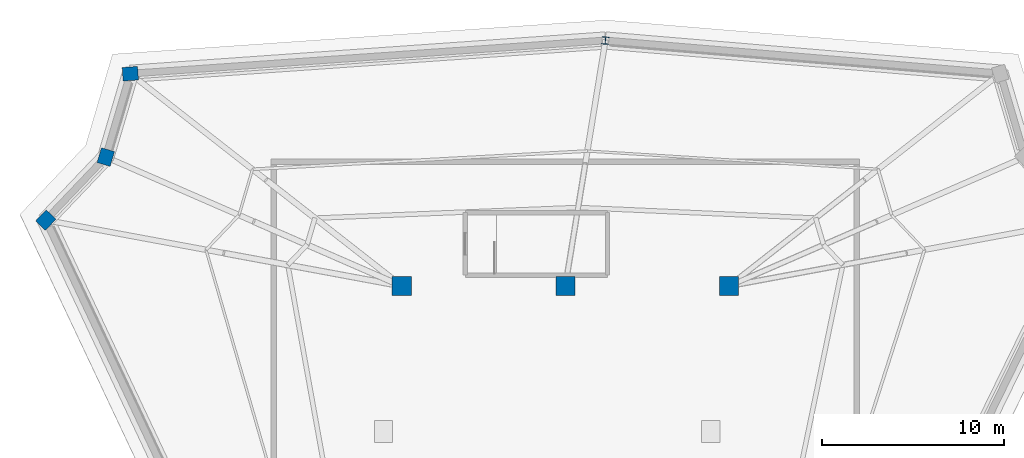
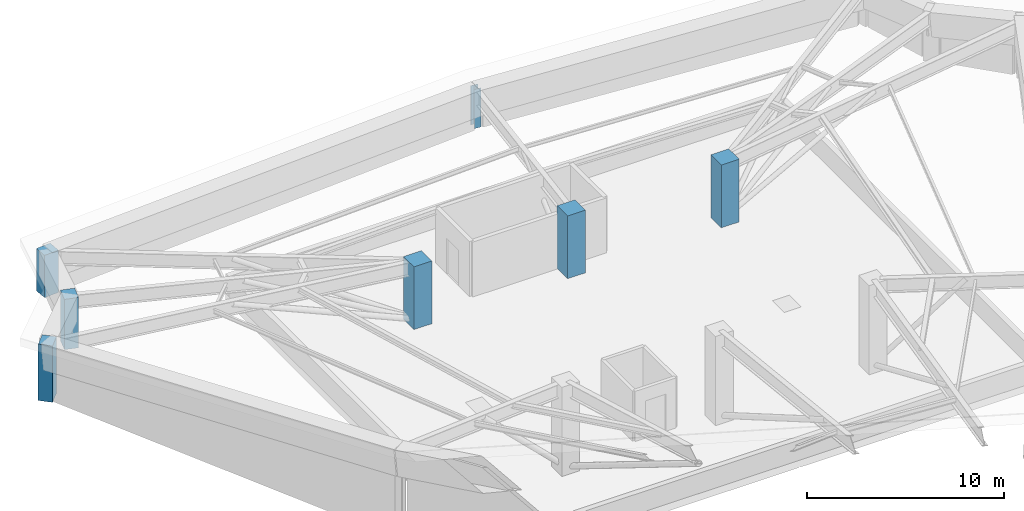
# One storey, part 2 of 6: 7 columns.
"""IFC4 building model written with IfcOpenShell, lengths in metres."""

from ifc_helpers import new_model, si_unit, direction, frame, origin, origin_2d, place, context, subcontext, project, spatial, rectangle, i_section, extrude, source, transform, mapped, material, material_profile, profile_set, type_object, element, save


model = new_model("IFC4")

# Units and contexts
model_context = context("Model", 3, precision=1e-05, world=origin(), true_north=direction((0.0, 1.0)))
body_context = subcontext(model_context, "Body", "Model", "MODEL_VIEW")
ifc_project = project(units=[si_unit("LENGTHUNIT", "METRE"), si_unit("AREAUNIT", "SQUARE_METRE"), si_unit("VOLUMEUNIT", "CUBIC_METRE"), si_unit("PLANEANGLEUNIT", "RADIAN"), si_unit("MASSUNIT", "GRAM", prefix="KILO")], contexts=[model_context])

# Site, building, storey
site_placement = place(None, origin())
site = spatial("IfcSite", under=ifc_project, at=site_placement, CompositionType="ELEMENT")
building_placement = place(site_placement, origin())
building = spatial("IfcBuilding", under=site, at=building_placement, Name="Liaohun Quay Tower", CompositionType="ELEMENT")
storey_placement = place(building_placement, frame((0.0, 0.0, 371.39990234375)))
storey = spatial("IfcBuildingStorey", under=building, at=storey_placement, Name="L95", CompositionType="ELEMENT", Elevation=371.39990234375)

# Columns
ifc_material_1 = material(Name="Concrete C50", Category="concrete")
ifc_material_profile_1 = material_profile(ifc_material_1, rectangle(XDim=1.050048828125, YDim=1.050048828125, at=origin_2d()), Name="RC1050x1050")
ifc_profile_set_1 = profile_set([ifc_material_profile_1], Name="Concrete C50")
column_type_1 = type_object("IfcColumnType", Name="COL-CC-CR", PredefinedType="COLUMN", material=ifc_profile_set_1)
shared_shape_1 = source(origin(), body_context, "Body", "SweptSolid", [
    extrude(rectangle(XDim=1.050048828125, YDim=1.050048828125, at=origin_2d()), origin(), (0.0, 0.0, 1.0), 3.887939453125),
])
for number, where, z_axis, x_axis, name in (
    (1, (69.0, 61.5, 0.0), (0.0, 0.0, 1.0), (1.0, 0.0, 0.0), "L95 Core Column CC4"),
    (2, (60.0, 61.5, 0.0), (0.0, 0.0, 1.0), (1.0, 0.0, 0.0), "L95 Core Column CC5"),
    (3, (51.0, 61.5, 0.0), (0.0, 0.0, 1.0), (1.0, 0.0, 0.0), "L95 Core Column CC6"),
):
    element("IfcColumn", number, at=place(storey_placement, frame(where, z_axis=z_axis, x_axis=x_axis)), inside=storey, type_object=column_type_1, Name=name, PredefinedType="COLUMN", context=body_context, shape_type="MappedRepresentation", body=[
        mapped(shared_shape_1, transform((0.0, 0.0, 0.0), x_axis=(1.0, 0.0, 0.0), y_axis=(0.0, 1.0, 0.0), z_axis=(0.0, 0.0, 1.0), scale=1.0)),
    ])
ifc_material_profile_2 = material_profile(ifc_material_1, rectangle(XDim=0.85009765625, YDim=0.75, at=origin_2d()), Name="RC850x750")
ifc_profile_set_2 = profile_set([ifc_material_profile_2], Name="Concrete C50")
column_type_2 = type_object("IfcColumnType", Name="COL-PIER-CR", PredefinedType="COLUMN", material=ifc_profile_set_2)
shared_shape_2 = source(origin(), body_context, "Body", "SweptSolid", [
    extrude(rectangle(XDim=0.85009765625, YDim=0.75, at=origin_2d()), origin(), (0.0, 0.0, 1.0), 3.493408203125),
])
column_1_placement = place(storey_placement, frame((31.410888671875, 65.131103515625, 0.0), z_axis=(0.0, 0.0, 1.0), x_axis=(0.68936671806, 0.724412539946, 0.0)))
element("IfcColumn", 4, at=column_1_placement, inside=storey, type_object=column_type_2, Name="L95 Perimeter Pier PC03", PredefinedType="COLUMN", context=body_context, shape_type="MappedRepresentation", body=[
    mapped(shared_shape_2, transform((0.0, 0.0, 0.0), x_axis=(1.0, 0.0, 0.0), y_axis=(0.0, 1.0, 0.0), z_axis=(0.0, 0.0, 1.0), scale=1.0)),
])
shared_shape_3 = source(origin(), body_context, "Body", "SweptSolid", [
    extrude(rectangle(XDim=0.85009765625, YDim=0.75, at=origin_2d()), origin(), (0.0, 0.0, 1.0), 3.11669921875),
])
column_2_placement = place(storey_placement, frame((34.7119140625, 68.60009765625, 0.0), z_axis=(0.0, 0.0, 1.0), x_axis=(0.282676303383, 0.959215360337, 0.0)))
element("IfcColumn", 5, at=column_2_placement, inside=storey, type_object=column_type_2, Name="L95 Perimeter Pier PC04", PredefinedType="COLUMN", context=body_context, shape_type="MappedRepresentation", body=[
    mapped(shared_shape_3, transform((0.0, 0.0, 0.0), x_axis=(1.0, 0.0, 0.0), y_axis=(0.0, 1.0, 0.0), z_axis=(0.0, 0.0, 1.0), scale=1.0)),
])
shared_shape_4 = source(origin(), body_context, "Body", "SweptSolid", [
    extrude(rectangle(XDim=0.85009765625, YDim=0.75, at=origin_2d()), origin(), (0.0, 0.0, 1.0), 2.618408203125),
])
column_3_placement = place(storey_placement, frame((36.06298828125, 73.18505859375, 0.0), z_axis=(0.0, 0.0, 1.0), x_axis=(0.99756405026, 0.069756473744, 0.0)))
element("IfcColumn", 6, at=column_3_placement, inside=storey, type_object=column_type_2, Name="L95 Perimeter Pier PC05", PredefinedType="COLUMN", context=body_context, shape_type="MappedRepresentation", body=[
    mapped(shared_shape_4, transform((0.0, 0.0, 0.0), x_axis=(1.0, 0.0, 0.0), y_axis=(0.0, 1.0, 0.0), z_axis=(0.0, 0.0, 1.0), scale=1.0)),
])
ifc_material_2 = material(Name="Steel Q355D", Category="steel")
ifc_material_profile_3 = material_profile(ifc_material_2, i_section(OverallWidth=0.39990234375, OverallDepth=0.39990234375, WebThickness=0.012939453125, FlangeThickness=0.02099609375, at=origin_2d()), Name="HW400x400x13x21")
ifc_profile_set_3 = profile_set([ifc_material_profile_3], Name="Steel Q355D")
column_type_3 = type_object("IfcColumnType", Name="COL-STL-CR2", PredefinedType="COLUMN", material=ifc_profile_set_3)
shared_shape_5 = source(origin(), body_context, "Body", "SweptSolid", [
    extrude(i_section(OverallWidth=0.39990234375, OverallDepth=0.39990234375, WebThickness=0.012939453125, FlangeThickness=0.02099609375, at=origin_2d()), origin(), (0.0, 0.0, 1.0), 2.419921875),
])
column_4_placement = place(storey_placement, frame((62.20703125, 75.012939453125, 0.0), z_axis=(0.0, 0.0, 1.0), x_axis=(-0.996507448611, 0.083503921245, 0.0)))
element("IfcColumn", 7, at=column_4_placement, inside=storey, type_object=column_type_3, Name="L95 Perimeter Pier PC06", PredefinedType="COLUMN", context=body_context, shape_type="MappedRepresentation", body=[
    mapped(shared_shape_5, transform((0.0, 0.0, 0.0), x_axis=(1.0, 0.0, 0.0), y_axis=(0.0, 1.0, 0.0), z_axis=(0.0, 0.0, 1.0), scale=1.0)),
])

save(model, "model.ifc")
